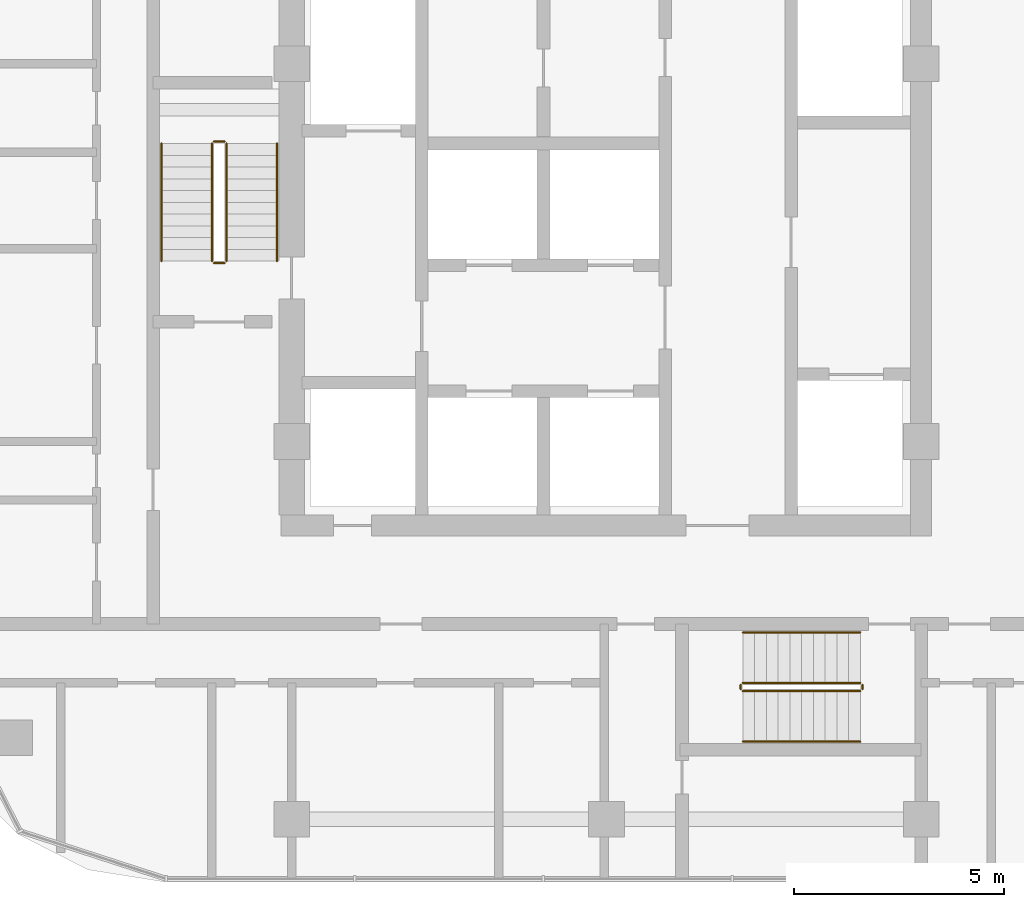
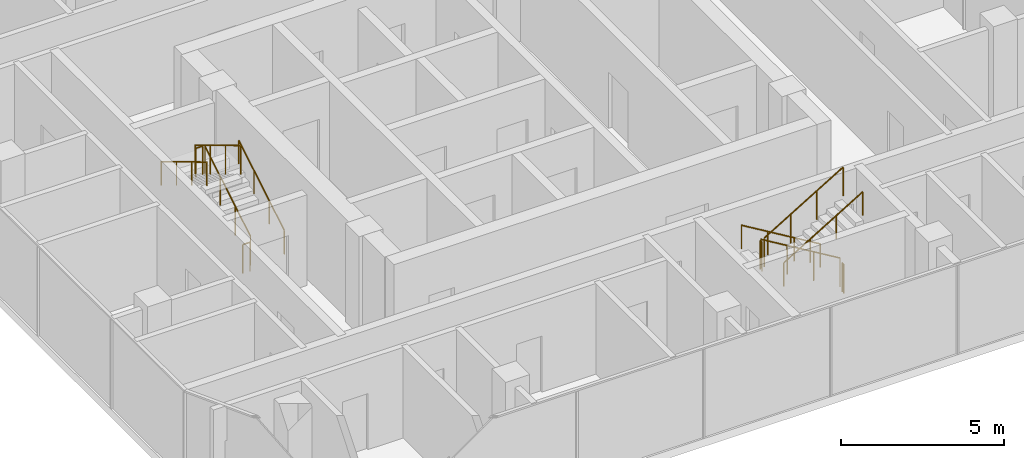
# One storey, part 31 of 31: 12 railings.
"""IFC4 building model written with IfcOpenShell, lengths in metres."""

from ifc_helpers import new_model, si_unit, direction, frame, origin, origin_2d, place, context, subcontext, project, spatial, circle, extrude, material, type_object, element, save


model = new_model("IFC4")

# Units and contexts
model_context = context("Model", 3, precision=1e-05, world=origin(), true_north=direction((0.0, 1.0)))
body_context = subcontext(model_context, "Body", "Model", "MODEL_VIEW")
ifc_project = project(units=[si_unit("LENGTHUNIT", "METRE"), si_unit("AREAUNIT", "SQUARE_METRE"), si_unit("VOLUMEUNIT", "CUBIC_METRE"), si_unit("PLANEANGLEUNIT", "RADIAN"), si_unit("MASSUNIT", "GRAM", prefix="KILO")], contexts=[model_context])

# Site, building, storey
site_placement = place(None, origin())
site = spatial("IfcSite", under=ifc_project, at=site_placement, CompositionType="ELEMENT")
building_placement = place(site_placement, origin())
building = spatial("IfcBuilding", under=site, at=building_placement, Name="Ogive Portal Towers", CompositionType="ELEMENT")
storey_placement = place(building_placement, frame((0.0, 0.0, 74.199951171875)))
storey = spatial("IfcBuildingStorey", under=building, at=storey_placement, Name="L17", CompositionType="ELEMENT", Elevation=74.199951171875)

# Railings
ifc_material_1 = material(Name="Stainless steel balustrade", Category="steel")
railing_type_1 = type_object("IfcRailingType", Name="INT-GUARD", PredefinedType="GUARDRAIL", material=ifc_material_1)
railing_1_placement = place(storey_placement, frame((127.449951171875, 30.800048828125, 0.168212890625)))
element("IfcRailing", 1, at=railing_1_placement, inside=storey, type_object=railing_type_1, Name="L17 ST-B1 stair guard 1", PredefinedType="GUARDRAIL", context=body_context, shape_type="SweptSolid", body=[
    extrude(circle(Radius=0.02392578125, at=origin_2d()), frame((0.0, 0.0, 1.076171875), z_axis=(0.0, 0.857242210791, 0.514913383045), x_axis=(-1.0, 0.0, 0.0)), (0.0, 0.0, 1.0), 3.266357421875),
    extrude(circle(Radius=0.02099609375, at=origin_2d()), origin(), (0.0, 0.0, 1.0), 1.052001953125),
    extrude(circle(Radius=0.02099609375, at=origin_2d()), frame((0.0, 0.933349609375, 0.560546875)), (0.0, 0.0, 1.0), 1.052001953125),
    extrude(circle(Radius=0.02099609375, at=origin_2d()), frame((0.0, 1.86669921875, 1.121337890625)), (0.0, 0.0, 1.0), 1.052001953125),
    extrude(circle(Radius=0.02099609375, at=origin_2d()), frame((0.0, 2.800048828125, 1.681884765625)), (0.0, 0.0, 1.0), 1.052001953125),
])
railing_2_placement = place(storey_placement, frame((127.39990234375, 33.64990234375, 1.85009765625)))
element("IfcRailing", 2, at=railing_2_placement, inside=storey, type_object=railing_type_1, Name="L17 ST-B1 stair guard 2", PredefinedType="GUARDRAIL", context=body_context, shape_type="SweptSolid", body=[
    extrude(circle(Radius=0.02392578125, at=origin_2d()), frame((0.0, 0.0, 1.076171875), z_axis=(-1.0, 0.0, 0.0), x_axis=(0.0, -1.0, 0.0)), (0.0, 0.0, 1.0), 0.25),
    extrude(circle(Radius=0.02099609375, at=origin_2d()), origin(), (0.0, 0.0, 1.0), 1.052001953125),
    extrude(circle(Radius=0.02099609375, at=origin_2d()), frame((-0.25, 0.0, 0.0)), (0.0, 0.0, 1.0), 1.052001953125),
])
railing_3_placement = place(storey_placement, frame((127.10009765625, 33.60009765625, 2.018310546875)))
element("IfcRailing", 3, at=railing_3_placement, inside=storey, type_object=railing_type_1, Name="L17 ST-B1 stair guard 3", PredefinedType="GUARDRAIL", context=body_context, shape_type="SweptSolid", body=[
    extrude(circle(Radius=0.02392578125, at=origin_2d()), frame((0.0, 0.0, 1.076171875), z_axis=(0.0, -0.857275202839, 0.514858452973), x_axis=(1.0, 0.0, 0.0)), (0.0, 0.0, 1.0), 3.26611328125),
    extrude(circle(Radius=0.02099609375, at=origin_2d()), origin(), (0.0, 0.0, 1.0), 1.052001953125),
    extrude(circle(Radius=0.02099609375, at=origin_2d()), frame((0.0, -0.933349609375, 0.560546875)), (0.0, 0.0, 1.0), 1.052001953125),
    extrude(circle(Radius=0.02099609375, at=origin_2d()), frame((0.0, -1.86669921875, 1.12109375)), (0.0, 0.0, 1.0), 1.052001953125),
    extrude(circle(Radius=0.02099609375, at=origin_2d()), frame((0.0, -2.800048828125, 1.681640625)), (0.0, 0.0, 1.0), 1.052001953125),
])
railing_4_placement = place(storey_placement, frame((127.39990234375, 30.75, 0.0)))
element("IfcRailing", 4, at=railing_4_placement, inside=storey, type_object=railing_type_1, Name="L17 ST-B1 stair guard 4", PredefinedType="GUARDRAIL", context=body_context, shape_type="SweptSolid", body=[
    extrude(circle(Radius=0.02392578125, at=origin_2d()), frame((0.0, 0.0, 1.076171875), z_axis=(-1.0, 0.0, 0.0), x_axis=(0.0, -1.0, 0.0)), (0.0, 0.0, 1.0), 0.25),
    extrude(circle(Radius=0.02099609375, at=origin_2d()), origin(), (0.0, 0.0, 1.0), 1.052001953125),
    extrude(circle(Radius=0.02099609375, at=origin_2d()), frame((-0.25, 0.0, 0.0)), (0.0, 0.0, 1.0), 1.052001953125),
])
railing_5_placement = place(storey_placement, frame((142.550048828125, 20.75, 0.168212890625)))
element("IfcRailing", 5, at=railing_5_placement, inside=storey, type_object=railing_type_1, Name="L17 ST-B2 stair guard 1", PredefinedType="GUARDRAIL", context=body_context, shape_type="SweptSolid", body=[
    extrude(circle(Radius=0.02392578125, at=origin_2d()), frame((0.0, 0.0, 1.076171875), z_axis=(-0.857242210791, 0.0, 0.514913383045), x_axis=(0.0, -1.0, 0.0)), (0.0, 0.0, 1.0), 3.266357421875),
    extrude(circle(Radius=0.02099609375, at=origin_2d()), origin(), (0.0, 0.0, 1.0), 1.052001953125),
    extrude(circle(Radius=0.02099609375, at=origin_2d()), frame((-0.933349609375, 0.0, 0.560546875)), (0.0, 0.0, 1.0), 1.052001953125),
    extrude(circle(Radius=0.02099609375, at=origin_2d()), frame((-1.86669921875, 0.0, 1.121337890625)), (0.0, 0.0, 1.0), 1.052001953125),
    extrude(circle(Radius=0.02099609375, at=origin_2d()), frame((-2.800048828125, 0.0, 1.681884765625)), (0.0, 0.0, 1.0), 1.052001953125),
])
railing_6_placement = place(storey_placement, frame((139.699951171875, 20.699951171875, 1.85009765625)))
element("IfcRailing", 6, at=railing_6_placement, inside=storey, type_object=railing_type_1, Name="L17 ST-B2 stair guard 2", PredefinedType="GUARDRAIL", context=body_context, shape_type="SweptSolid", body=[
    extrude(circle(Radius=0.02392578125, at=origin_2d()), frame((0.0, 0.0, 1.076171875), z_axis=(0.0, -1.0, 0.0), x_axis=(1.0, 0.0, 0.0)), (0.0, 0.0, 1.0), 0.099853515625),
    extrude(circle(Radius=0.02099609375, at=origin_2d()), origin(), (0.0, 0.0, 1.0), 1.052001953125),
    extrude(circle(Radius=0.02099609375, at=origin_2d()), frame((0.0, -0.099853515625, 0.0)), (0.0, 0.0, 1.0), 1.052001953125),
])
railing_7_placement = place(storey_placement, frame((139.75, 20.550048828125, 2.018310546875)))
element("IfcRailing", 7, at=railing_7_placement, inside=storey, type_object=railing_type_1, Name="L17 ST-B2 stair guard 3", PredefinedType="GUARDRAIL", context=body_context, shape_type="SweptSolid", body=[
    extrude(circle(Radius=0.02392578125, at=origin_2d()), frame((0.0, 0.0, 1.076171875), z_axis=(0.857275202839, 0.0, 0.514858452973), x_axis=(0.0, 1.0, 0.0)), (0.0, 0.0, 1.0), 3.26611328125),
    extrude(circle(Radius=0.02099609375, at=origin_2d()), origin(), (0.0, 0.0, 1.0), 1.052001953125),
    extrude(circle(Radius=0.02099609375, at=origin_2d()), frame((0.933349609375, 0.0, 0.560546875)), (0.0, 0.0, 1.0), 1.052001953125),
    extrude(circle(Radius=0.02099609375, at=origin_2d()), frame((1.86669921875, 0.0, 1.12109375)), (0.0, 0.0, 1.0), 1.052001953125),
    extrude(circle(Radius=0.02099609375, at=origin_2d()), frame((2.800048828125, 0.0, 1.681640625)), (0.0, 0.0, 1.0), 1.052001953125),
])
railing_8_placement = place(storey_placement, frame((142.60009765625, 20.699951171875, 0.0)))
element("IfcRailing", 8, at=railing_8_placement, inside=storey, type_object=railing_type_1, Name="L17 ST-B2 stair guard 4", PredefinedType="GUARDRAIL", context=body_context, shape_type="SweptSolid", body=[
    extrude(circle(Radius=0.02392578125, at=origin_2d()), frame((0.0, 0.0, 1.076171875), z_axis=(0.0, -1.0, 0.0), x_axis=(1.0, 0.0, 0.0)), (0.0, 0.0, 1.0), 0.099853515625),
    extrude(circle(Radius=0.02099609375, at=origin_2d()), origin(), (0.0, 0.0, 1.0), 1.052001953125),
    extrude(circle(Radius=0.02099609375, at=origin_2d()), frame((0.0, -0.099853515625, 0.0)), (0.0, 0.0, 1.0), 1.052001953125),
])
ifc_material_2 = material(Name="Stainless steel handrail", Category="steel")
railing_type_2 = type_object("IfcRailingType", Name="INT-HANDRAIL", PredefinedType="HANDRAIL", material=ifc_material_2)
railing_9_placement = place(storey_placement, frame((128.64990234375, 30.800048828125, 0.168212890625)))
element("IfcRailing", 9, at=railing_9_placement, inside=storey, type_object=railing_type_2, Name="L17 ST-B1 stair handrail 1", PredefinedType="HANDRAIL", context=body_context, shape_type="SweptSolid", body=[
    extrude(circle(Radius=0.02392578125, at=origin_2d()), frame((0.0, 0.0, 0.8759765625), z_axis=(0.0, 0.857242210791, 0.514913383045), x_axis=(-1.0, 0.0, 0.0)), (0.0, 0.0, 1.0), 3.266357421875),
    extrude(circle(Radius=0.02099609375, at=origin_2d()), origin(), (0.0, 0.0, 1.0), 0.851806640625),
    extrude(circle(Radius=0.02099609375, at=origin_2d()), frame((0.0, 0.933349609375, 0.560546875)), (0.0, 0.0, 1.0), 0.851806640625),
    extrude(circle(Radius=0.02099609375, at=origin_2d()), frame((0.0, 1.86669921875, 1.121337890625)), (0.0, 0.0, 1.0), 0.851806640625),
    extrude(circle(Radius=0.02099609375, at=origin_2d()), frame((0.0, 2.800048828125, 1.681884765625)), (0.0, 0.0, 1.0), 0.851806640625),
])
railing_10_placement = place(storey_placement, frame((125.89990234375, 33.60009765625, 2.018310546875)))
element("IfcRailing", 10, at=railing_10_placement, inside=storey, type_object=railing_type_2, Name="L17 ST-B1 stair handrail 2", PredefinedType="HANDRAIL", context=body_context, shape_type="SweptSolid", body=[
    extrude(circle(Radius=0.02392578125, at=origin_2d()), frame((0.0, 0.0, 0.8759765625), z_axis=(0.0, -0.857275202839, 0.514858452973), x_axis=(1.0, 0.0, 0.0)), (0.0, 0.0, 1.0), 3.26611328125),
    extrude(circle(Radius=0.02099609375, at=origin_2d()), origin(), (0.0, 0.0, 1.0), 0.851806640625),
    extrude(circle(Radius=0.02099609375, at=origin_2d()), frame((0.0, -0.933349609375, 0.560546875)), (0.0, 0.0, 1.0), 0.851806640625),
    extrude(circle(Radius=0.02099609375, at=origin_2d()), frame((0.0, -1.86669921875, 1.12109375)), (0.0, 0.0, 1.0), 0.851806640625),
    extrude(circle(Radius=0.02099609375, at=origin_2d()), frame((0.0, -2.800048828125, 1.681640625)), (0.0, 0.0, 1.0), 0.851806640625),
])
railing_11_placement = place(storey_placement, frame((142.550048828125, 21.949951171875, 0.168212890625)))
element("IfcRailing", 11, at=railing_11_placement, inside=storey, type_object=railing_type_2, Name="L17 ST-B2 stair handrail 1", PredefinedType="HANDRAIL", context=body_context, shape_type="SweptSolid", body=[
    extrude(circle(Radius=0.02392578125, at=origin_2d()), frame((0.0, 0.0, 0.8759765625), z_axis=(-0.857242210791, 0.0, 0.514913383045), x_axis=(0.0, -1.0, 0.0)), (0.0, 0.0, 1.0), 3.266357421875),
    extrude(circle(Radius=0.02099609375, at=origin_2d()), origin(), (0.0, 0.0, 1.0), 0.851806640625),
    extrude(circle(Radius=0.02099609375, at=origin_2d()), frame((-0.933349609375, 0.0, 0.560546875)), (0.0, 0.0, 1.0), 0.851806640625),
    extrude(circle(Radius=0.02099609375, at=origin_2d()), frame((-1.86669921875, 0.0, 1.121337890625)), (0.0, 0.0, 1.0), 0.851806640625),
    extrude(circle(Radius=0.02099609375, at=origin_2d()), frame((-2.800048828125, 0.0, 1.681884765625)), (0.0, 0.0, 1.0), 0.851806640625),
])
railing_12_placement = place(storey_placement, frame((139.75, 19.35009765625, 2.018310546875)))
element("IfcRailing", 12, at=railing_12_placement, inside=storey, type_object=railing_type_2, Name="L17 ST-B2 stair handrail 2", PredefinedType="HANDRAIL", context=body_context, shape_type="SweptSolid", body=[
    extrude(circle(Radius=0.02392578125, at=origin_2d()), frame((0.0, 0.0, 0.8759765625), z_axis=(0.857275202839, 0.0, 0.514858452973), x_axis=(0.0, 1.0, 0.0)), (0.0, 0.0, 1.0), 3.26611328125),
    extrude(circle(Radius=0.02099609375, at=origin_2d()), origin(), (0.0, 0.0, 1.0), 0.851806640625),
    extrude(circle(Radius=0.02099609375, at=origin_2d()), frame((0.933349609375, 0.0, 0.560546875)), (0.0, 0.0, 1.0), 0.851806640625),
    extrude(circle(Radius=0.02099609375, at=origin_2d()), frame((1.86669921875, 0.0, 1.12109375)), (0.0, 0.0, 1.0), 0.851806640625),
    extrude(circle(Radius=0.02099609375, at=origin_2d()), frame((2.800048828125, 0.0, 1.681640625)), (0.0, 0.0, 1.0), 0.851806640625),
])

save(model, "model.ifc")
